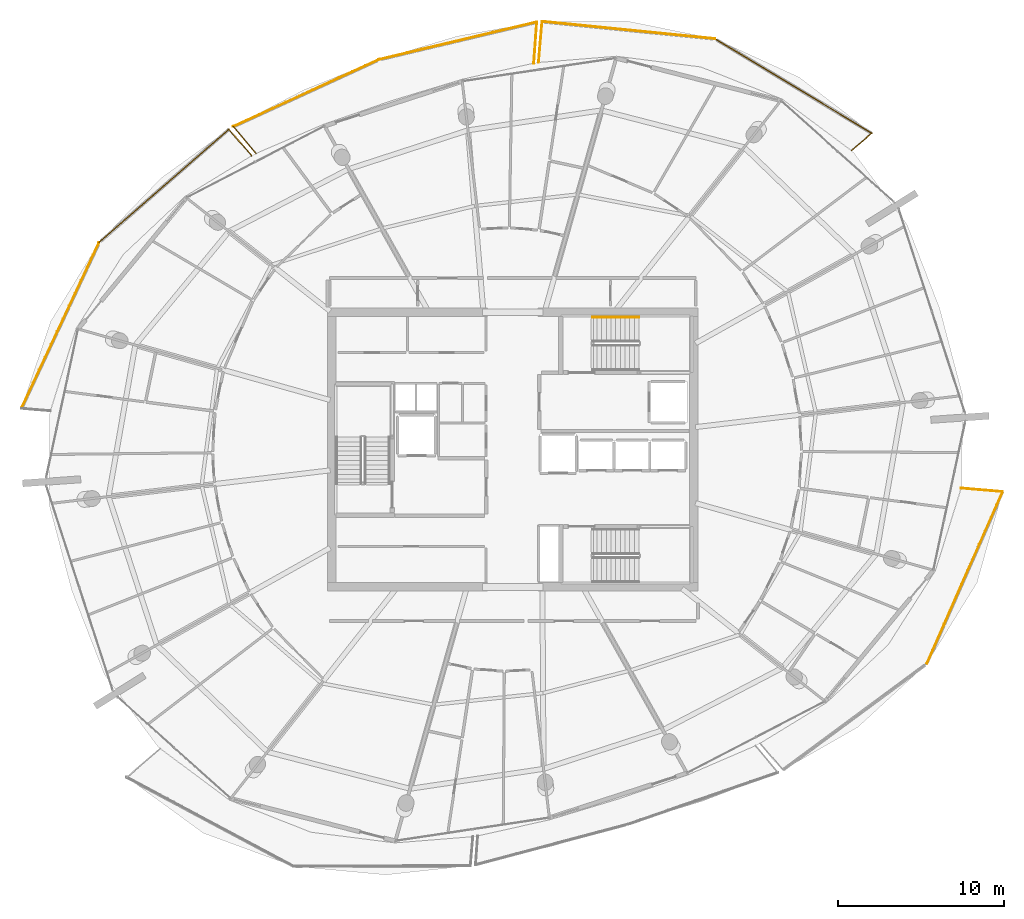
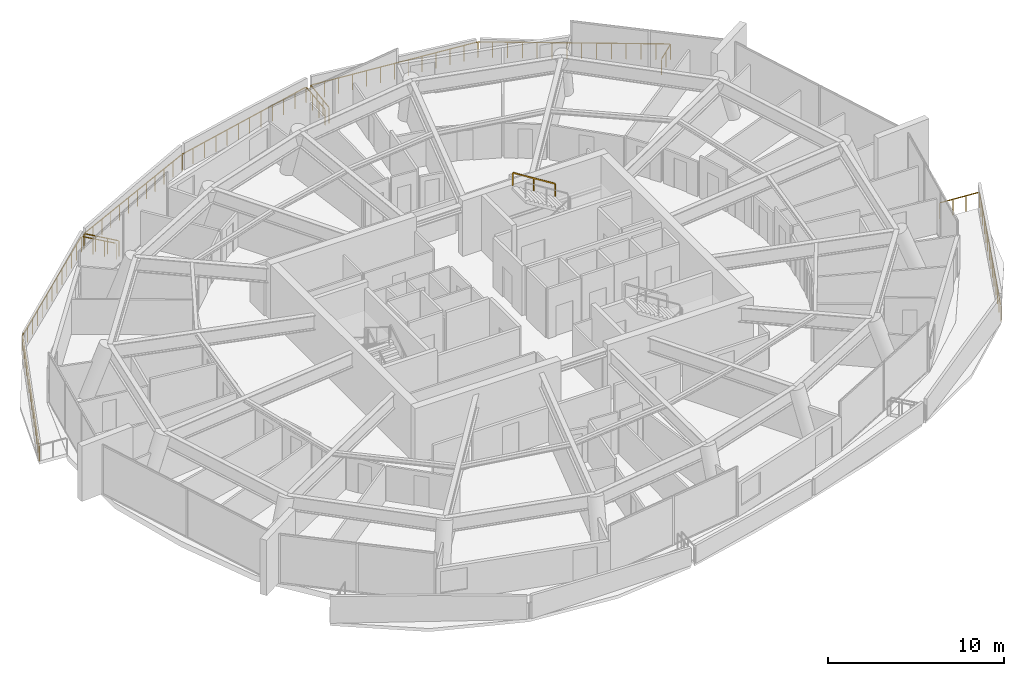
# One storey, part 24 of 24: 14 railings.
"""IFC4 building model written with IfcOpenShell, lengths in metres."""

from ifc_helpers import new_model, si_unit, direction, frame, origin, origin_2d, place, context, subcontext, project, spatial, rectangle, extrude, material, type_object, element, save


model = new_model("IFC4")

# Units and contexts
model_context = context("Model", 3, precision=1e-05, world=origin(), true_north=direction((0.0, 1.0)))
body_context = subcontext(model_context, "Body", "Model", "MODEL_VIEW")
ifc_project = project(units=[si_unit("LENGTHUNIT", "METRE"), si_unit("AREAUNIT", "SQUARE_METRE"), si_unit("VOLUMEUNIT", "CUBIC_METRE"), si_unit("PLANEANGLEUNIT", "RADIAN"), si_unit("MASSUNIT", "GRAM", prefix="KILO")], contexts=[model_context])

# Site, building, storey
site_placement = place(None, origin())
site = spatial("IfcSite", under=ifc_project, at=site_placement, CompositionType="ELEMENT")
building_placement = place(site_placement, origin())
building = spatial("IfcBuilding", under=site, at=building_placement, Name="Kazma Halo Residences", CompositionType="ELEMENT")
storey_placement = place(building_placement, frame((0.0, 0.0, 309.85009765625)))
storey = spatial("IfcBuildingStorey", under=building, at=storey_placement, Name="L78", CompositionType="ELEMENT", Elevation=309.85009765625)

# Railings
ifc_material_1 = material(Name="Aluminium AW-6063 T6 Brushed Cap Rail", Category="aluminium")
railing_type_1 = type_object("IfcRailingType", Name="RLG-BAL-CAP-1120", PredefinedType="BALUSTRADE", material=ifc_material_1)
railing_1_placement = place(storey_placement, frame((68.77197265625, 59.961669921875, 0.0)))
element("IfcRailing", 1, at=railing_1_placement, inside=storey, type_object=railing_type_1, Name="L78 NE wave balcony guard 1", PredefinedType="BALUSTRADE", context=body_context, shape_type="SweptSolid", body=[
    extrude(rectangle(XDim=0.050048828125, YDim=0.050048828125, at=origin_2d()), frame((0.0322265625, 0.02783203125, 1.09521484375), z_axis=(0.756479552532, 0.654017344266, 0.0), x_axis=(-0.654017344266, 0.756479552532, 0.0)), (0.0, 0.0, 1.0), 1.513671875),
    extrude(rectangle(XDim=0.0400390625, YDim=0.0400390625, at=origin_2d()), origin(), (0.0, 0.0, 1.0), 1.05810546875),
    extrude(rectangle(XDim=0.0400390625, YDim=0.0400390625, at=origin_2d()), frame((0.604736328125, 0.52294921875, 0.0)), (0.0, 0.0, 1.0), 1.05810546875),
    extrude(rectangle(XDim=0.0400390625, YDim=0.0400390625, at=origin_2d()), frame((1.20947265625, 1.045654296875, 0.0)), (0.0, 0.0, 1.0), 1.05810546875),
])
railing_2_placement = place(storey_placement, frame((69.9814453125, 61.00732421875, 0.0)))
element("IfcRailing", 2, at=railing_2_placement, inside=storey, type_object=railing_type_1, Name="L78 NE wave balcony guard 2", PredefinedType="BALUSTRADE", context=body_context, shape_type="SweptSolid", body=[
    extrude(rectangle(XDim=0.050048828125, YDim=0.050048828125, at=origin_2d()), frame((-0.036376953125, 0.02197265625, 1.09521484375), z_axis=(-0.856449797086, 0.516230321728, 0.0), x_axis=(-0.516230321728, -0.856449797086, 0.0)), (0.0, 0.0, 1.0), 10.899169921875),
    extrude(rectangle(XDim=0.0400390625, YDim=0.0400390625, at=origin_2d()), origin(), (0.0, 0.0, 1.0), 1.05810546875),
    extrude(rectangle(XDim=0.0400390625, YDim=0.0400390625, at=origin_2d()), frame((-0.7236328125, 0.436279296875, 0.0)), (0.0, 0.0, 1.0), 1.05810546875),
    extrude(rectangle(XDim=0.0400390625, YDim=0.0400390625, at=origin_2d()), frame((-1.447265625, 0.872314453125, 0.0)), (0.0, 0.0, 1.0), 1.05810546875),
    extrude(rectangle(XDim=0.0400390625, YDim=0.0400390625, at=origin_2d()), frame((-2.1708984375, 1.30859375, 0.0)), (0.0, 0.0, 1.0), 1.05810546875),
    extrude(rectangle(XDim=0.0400390625, YDim=0.0400390625, at=origin_2d()), frame((-2.89453125, 1.74462890625, 0.0)), (0.0, 0.0, 1.0), 1.05810546875),
    extrude(rectangle(XDim=0.0400390625, YDim=0.0400390625, at=origin_2d()), frame((-3.6181640625, 2.180908203125, 0.0)), (0.0, 0.0, 1.0), 1.05810546875),
    extrude(rectangle(XDim=0.0400390625, YDim=0.0400390625, at=origin_2d()), frame((-4.341796875, 2.6171875, 0.0)), (0.0, 0.0, 1.0), 1.05810546875),
    extrude(rectangle(XDim=0.0400390625, YDim=0.0400390625, at=origin_2d()), frame((-5.065673828125, 3.05322265625, 0.0)), (0.0, 0.0, 1.0), 1.05810546875),
    extrude(rectangle(XDim=0.0400390625, YDim=0.0400390625, at=origin_2d()), frame((-5.789306640625, 3.489501953125, 0.0)), (0.0, 0.0, 1.0), 1.05810546875),
    extrude(rectangle(XDim=0.0400390625, YDim=0.0400390625, at=origin_2d()), frame((-6.512939453125, 3.92578125, 0.0)), (0.0, 0.0, 1.0), 1.05810546875),
    extrude(rectangle(XDim=0.0400390625, YDim=0.0400390625, at=origin_2d()), frame((-7.236572265625, 4.36181640625, 0.0)), (0.0, 0.0, 1.0), 1.05810546875),
    extrude(rectangle(XDim=0.0400390625, YDim=0.0400390625, at=origin_2d()), frame((-7.960205078125, 4.798095703125, 0.0)), (0.0, 0.0, 1.0), 1.05810546875),
    extrude(rectangle(XDim=0.0400390625, YDim=0.0400390625, at=origin_2d()), frame((-8.683837890625, 5.234130859375, 0.0)), (0.0, 0.0, 1.0), 1.05810546875),
    extrude(rectangle(XDim=0.0400390625, YDim=0.0400390625, at=origin_2d()), frame((-9.407470703125, 5.67041015625, 0.0)), (0.0, 0.0, 1.0), 1.05810546875),
])
railing_3_placement = place(storey_placement, frame((60.573974609375, 66.677734375, 0.0)))
element("IfcRailing", 3, at=railing_3_placement, inside=storey, type_object=railing_type_1, Name="L78 NE wave balcony guard 3", PredefinedType="BALUSTRADE", context=body_context, shape_type="SweptSolid", body=[
    extrude(rectangle(XDim=0.050048828125, YDim=0.050048828125, at=origin_2d()), frame((-0.042236328125, 0.004150390625, 1.09521484375), z_axis=(-0.995045518951, 0.099420396375, 0.0), x_axis=(-0.099420396375, -0.995045518951, 0.0)), (0.0, 0.0, 1.0), 10.358642578125),
    extrude(rectangle(XDim=0.0400390625, YDim=0.0400390625, at=origin_2d()), origin(), (0.0, 0.0, 1.0), 1.05810546875),
    extrude(rectangle(XDim=0.0400390625, YDim=0.0400390625, at=origin_2d()), frame((-0.865966796875, 0.08642578125, 0.0)), (0.0, 0.0, 1.0), 1.05810546875),
    extrude(rectangle(XDim=0.0400390625, YDim=0.0400390625, at=origin_2d()), frame((-1.73193359375, 0.173095703125, 0.0)), (0.0, 0.0, 1.0), 1.05810546875),
    extrude(rectangle(XDim=0.0400390625, YDim=0.0400390625, at=origin_2d()), frame((-2.59814453125, 0.259521484375, 0.0)), (0.0, 0.0, 1.0), 1.05810546875),
    extrude(rectangle(XDim=0.0400390625, YDim=0.0400390625, at=origin_2d()), frame((-3.464111328125, 0.34619140625, 0.0)), (0.0, 0.0, 1.0), 1.05810546875),
    extrude(rectangle(XDim=0.0400390625, YDim=0.0400390625, at=origin_2d()), frame((-4.330078125, 0.4326171875, 0.0)), (0.0, 0.0, 1.0), 1.05810546875),
    extrude(rectangle(XDim=0.0400390625, YDim=0.0400390625, at=origin_2d()), frame((-5.196044921875, 0.51904296875, 0.0)), (0.0, 0.0, 1.0), 1.05810546875),
    extrude(rectangle(XDim=0.0400390625, YDim=0.0400390625, at=origin_2d()), frame((-6.06201171875, 0.605712890625, 0.0)), (0.0, 0.0, 1.0), 1.05810546875),
    extrude(rectangle(XDim=0.0400390625, YDim=0.0400390625, at=origin_2d()), frame((-6.927978515625, 0.692138671875, 0.0)), (0.0, 0.0, 1.0), 1.05810546875),
    extrude(rectangle(XDim=0.0400390625, YDim=0.0400390625, at=origin_2d()), frame((-7.7939453125, 0.77880859375, 0.0)), (0.0, 0.0, 1.0), 1.05810546875),
    extrude(rectangle(XDim=0.0400390625, YDim=0.0400390625, at=origin_2d()), frame((-8.66015625, 0.865234375, 0.0)), (0.0, 0.0, 1.0), 1.05810546875),
    extrude(rectangle(XDim=0.0400390625, YDim=0.0400390625, at=origin_2d()), frame((-9.526123046875, 0.951904296875, 0.0)), (0.0, 0.0, 1.0), 1.05810546875),
    extrude(rectangle(XDim=0.0400390625, YDim=0.0400390625, at=origin_2d()), frame((-10.39208984375, 1.038330078125, 0.0)), (0.0, 0.0, 1.0), 1.05810546875),
])
railing_4_placement = place(storey_placement, frame((50.181884765625, 67.716064453125, 0.0)))
element("IfcRailing", 4, at=railing_4_placement, inside=storey, type_object=railing_type_1, Name="L78 NE wave balcony guard 4", PredefinedType="BALUSTRADE", context=body_context, shape_type="SweptSolid", body=[
    extrude(rectangle(XDim=0.050048828125, YDim=0.050048828125, at=origin_2d()), frame((-0.003662109375, -0.04248046875, 1.09521484375), z_axis=(-0.084517933957, -0.996421958228, 0.0), x_axis=(0.996421958228, -0.084517933957, 0.0)), (0.0, 0.0, 1.0), 2.384765625),
    extrude(rectangle(XDim=0.0400390625, YDim=0.0400390625, at=origin_2d()), origin(), (0.0, 0.0, 1.0), 1.05810546875),
    extrude(rectangle(XDim=0.0400390625, YDim=0.0400390625, at=origin_2d()), frame((-0.069580078125, -0.8203125, 0.0)), (0.0, 0.0, 1.0), 1.05810546875),
    extrude(rectangle(XDim=0.0400390625, YDim=0.0400390625, at=origin_2d()), frame((-0.13916015625, -1.640625, 0.0)), (0.0, 0.0, 1.0), 1.05810546875),
    extrude(rectangle(XDim=0.0400390625, YDim=0.0400390625, at=origin_2d()), frame((-0.208740234375, -2.4609375, 0.0)), (0.0, 0.0, 1.0), 1.05810546875),
])
railing_5_placement = place(storey_placement, frame((49.68408203125, 65.2119140625, 0.0)))
element("IfcRailing", 5, at=railing_5_placement, inside=storey, type_object=railing_type_1, Name="L78 NNW wave balcony guard 1", PredefinedType="BALUSTRADE", context=body_context, shape_type="SweptSolid", body=[
    extrude(rectangle(XDim=0.050048828125, YDim=0.050048828125, at=origin_2d()), frame((0.003173828125, 0.04248046875, 1.09521484375), z_axis=(0.072387851321, 0.997376558267, 0.0), x_axis=(-0.997376558267, 0.072387851321, 0.0)), (0.0, 0.0, 1.0), 2.393798828125),
    extrude(rectangle(XDim=0.0400390625, YDim=0.0400390625, at=origin_2d()), origin(), (0.0, 0.0, 1.0), 1.05810546875),
    extrude(rectangle(XDim=0.0400390625, YDim=0.0400390625, at=origin_2d()), frame((0.059814453125, 0.82421875, 0.0)), (0.0, 0.0, 1.0), 1.05810546875),
    extrude(rectangle(XDim=0.0400390625, YDim=0.0400390625, at=origin_2d()), frame((0.11962890625, 1.648193359375, 0.0)), (0.0, 0.0, 1.0), 1.05810546875),
    extrude(rectangle(XDim=0.0400390625, YDim=0.0400390625, at=origin_2d()), frame((0.179443359375, 2.472412109375, 0.0)), (0.0, 0.0, 1.0), 1.05810546875),
])
railing_6_placement = place(storey_placement, frame((49.863525390625, 67.684326171875, 0.0)))
element("IfcRailing", 6, at=railing_6_placement, inside=storey, type_object=railing_type_1, Name="L78 NNW wave balcony guard 2", PredefinedType="BALUSTRADE", context=body_context, shape_type="SweptSolid", body=[
    extrude(rectangle(XDim=0.050048828125, YDim=0.050048828125, at=origin_2d()), frame((-0.04150390625, -0.009765625, 1.09521484375), z_axis=(-0.972831219155, -0.231515483365, 0.0), x_axis=(0.231515483365, -0.972831219155, 0.0)), (0.0, 0.0, 1.0), 9.655517578125),
    extrude(rectangle(XDim=0.0400390625, YDim=0.0400390625, at=origin_2d()), origin(), (0.0, 0.0, 1.0), 1.05810546875),
    extrude(rectangle(XDim=0.0400390625, YDim=0.0400390625, at=origin_2d()), frame((-0.861572265625, -0.205078125, 0.0)), (0.0, 0.0, 1.0), 1.05810546875),
    extrude(rectangle(XDim=0.0400390625, YDim=0.0400390625, at=origin_2d()), frame((-1.722900390625, -0.409912109375, 0.0)), (0.0, 0.0, 1.0), 1.05810546875),
    extrude(rectangle(XDim=0.0400390625, YDim=0.0400390625, at=origin_2d()), frame((-2.58447265625, -0.614990234375, 0.0)), (0.0, 0.0, 1.0), 1.05810546875),
    extrude(rectangle(XDim=0.0400390625, YDim=0.0400390625, at=origin_2d()), frame((-3.44580078125, -0.820068359375, 0.0)), (0.0, 0.0, 1.0), 1.05810546875),
    extrude(rectangle(XDim=0.0400390625, YDim=0.0400390625, at=origin_2d()), frame((-4.307373046875, -1.025146484375, 0.0)), (0.0, 0.0, 1.0), 1.05810546875),
    extrude(rectangle(XDim=0.0400390625, YDim=0.0400390625, at=origin_2d()), frame((-5.168701171875, -1.22998046875, 0.0)), (0.0, 0.0, 1.0), 1.05810546875),
    extrude(rectangle(XDim=0.0400390625, YDim=0.0400390625, at=origin_2d()), frame((-6.0302734375, -1.43505859375, 0.0)), (0.0, 0.0, 1.0), 1.05810546875),
    extrude(rectangle(XDim=0.0400390625, YDim=0.0400390625, at=origin_2d()), frame((-6.8916015625, -1.64013671875, 0.0)), (0.0, 0.0, 1.0), 1.05810546875),
    extrude(rectangle(XDim=0.0400390625, YDim=0.0400390625, at=origin_2d()), frame((-7.753173828125, -1.84521484375, 0.0)), (0.0, 0.0, 1.0), 1.05810546875),
    extrude(rectangle(XDim=0.0400390625, YDim=0.0400390625, at=origin_2d()), frame((-8.614501953125, -2.050048828125, 0.0)), (0.0, 0.0, 1.0), 1.05810546875),
    extrude(rectangle(XDim=0.0400390625, YDim=0.0400390625, at=origin_2d()), frame((-9.47607421875, -2.255126953125, 0.0)), (0.0, 0.0, 1.0), 1.05810546875),
])
railing_7_placement = place(storey_placement, frame((40.387451171875, 65.42919921875, 0.0)))
element("IfcRailing", 7, at=railing_7_placement, inside=storey, type_object=railing_type_1, Name="L78 NNW wave balcony guard 3", PredefinedType="BALUSTRADE", context=body_context, shape_type="SweptSolid", body=[
    extrude(rectangle(XDim=0.050048828125, YDim=0.050048828125, at=origin_2d()), frame((-0.03857421875, -0.017822265625, 1.09521484375), z_axis=(-0.908637358603, -0.417586099566, 0.0), x_axis=(0.417586099566, -0.908637358603, 0.0)), (0.0, 0.0, 1.0), 9.55224609375),
    extrude(rectangle(XDim=0.0400390625, YDim=0.0400390625, at=origin_2d()), origin(), (0.0, 0.0, 1.0), 1.05810546875),
    extrude(rectangle(XDim=0.0400390625, YDim=0.0400390625, at=origin_2d()), frame((-0.796142578125, -0.365966796875, 0.0)), (0.0, 0.0, 1.0), 1.05810546875),
    extrude(rectangle(XDim=0.0400390625, YDim=0.0400390625, at=origin_2d()), frame((-1.592041015625, -0.731689453125, 0.0)), (0.0, 0.0, 1.0), 1.05810546875),
    extrude(rectangle(XDim=0.0400390625, YDim=0.0400390625, at=origin_2d()), frame((-2.38818359375, -1.09765625, 0.0)), (0.0, 0.0, 1.0), 1.05810546875),
    extrude(rectangle(XDim=0.0400390625, YDim=0.0400390625, at=origin_2d()), frame((-3.184326171875, -1.46337890625, 0.0)), (0.0, 0.0, 1.0), 1.05810546875),
    extrude(rectangle(XDim=0.0400390625, YDim=0.0400390625, at=origin_2d()), frame((-3.98046875, -1.829345703125, 0.0)), (0.0, 0.0, 1.0), 1.05810546875),
    extrude(rectangle(XDim=0.0400390625, YDim=0.0400390625, at=origin_2d()), frame((-4.7763671875, -2.195068359375, 0.0)), (0.0, 0.0, 1.0), 1.05810546875),
    extrude(rectangle(XDim=0.0400390625, YDim=0.0400390625, at=origin_2d()), frame((-5.572509765625, -2.56103515625, 0.0)), (0.0, 0.0, 1.0), 1.05810546875),
    extrude(rectangle(XDim=0.0400390625, YDim=0.0400390625, at=origin_2d()), frame((-6.36865234375, -2.9267578125, 0.0)), (0.0, 0.0, 1.0), 1.05810546875),
    extrude(rectangle(XDim=0.0400390625, YDim=0.0400390625, at=origin_2d()), frame((-7.164794921875, -3.292724609375, 0.0)), (0.0, 0.0, 1.0), 1.05810546875),
    extrude(rectangle(XDim=0.0400390625, YDim=0.0400390625, at=origin_2d()), frame((-7.960693359375, -3.658447265625, 0.0)), (0.0, 0.0, 1.0), 1.05810546875),
    extrude(rectangle(XDim=0.0400390625, YDim=0.0400390625, at=origin_2d()), frame((-8.7568359375, -4.0244140625, 0.0)), (0.0, 0.0, 1.0), 1.05810546875),
])
railing_8_placement = place(storey_placement, frame((31.630615234375, 61.40478515625, 0.0)))
element("IfcRailing", 8, at=railing_8_placement, inside=storey, type_object=railing_type_1, Name="L78 NNW wave balcony guard 4", PredefinedType="BALUSTRADE", context=body_context, shape_type="SweptSolid", body=[
    extrude(rectangle(XDim=0.050048828125, YDim=0.050048828125, at=origin_2d()), frame((0.02734375, -0.032470703125, 1.09521484375), z_axis=(0.644818238968, -0.764335946227, 0.0), x_axis=(0.764335946227, 0.644818238968, 0.0)), (0.0, 0.0, 1.0), 2.029052734375),
    extrude(rectangle(XDim=0.0400390625, YDim=0.0400390625, at=origin_2d()), origin(), (0.0, 0.0, 1.0), 1.05810546875),
    extrude(rectangle(XDim=0.0400390625, YDim=0.0400390625, at=origin_2d()), frame((0.454345703125, -0.53857421875, 0.0)), (0.0, 0.0, 1.0), 1.05810546875),
    extrude(rectangle(XDim=0.0400390625, YDim=0.0400390625, at=origin_2d()), frame((0.908935546875, -1.077392578125, 0.0)), (0.0, 0.0, 1.0), 1.05810546875),
    extrude(rectangle(XDim=0.0400390625, YDim=0.0400390625, at=origin_2d()), frame((1.36328125, -1.615966796875, 0.0)), (0.0, 0.0, 1.0), 1.05810546875),
])
railing_9_placement = place(storey_placement, frame((32.734619140625, 59.654052734375, 0.0)))
element("IfcRailing", 9, at=railing_9_placement, inside=storey, type_object=railing_type_1, Name="L78 NW wave balcony guard 1", PredefinedType="BALUSTRADE", context=body_context, shape_type="SweptSolid", body=[
    extrude(rectangle(XDim=0.050048828125, YDim=0.050048828125, at=origin_2d()), frame((-0.02783203125, 0.0322265625, 1.09521484375), z_axis=(-0.654146538643, 0.756367837749, 0.0), x_axis=(-0.756367837749, -0.654146538643, 0.0)), (0.0, 0.0, 1.0), 2.01416015625),
    extrude(rectangle(XDim=0.0400390625, YDim=0.0400390625, at=origin_2d()), origin(), (0.0, 0.0, 1.0), 1.05810546875),
    extrude(rectangle(XDim=0.0400390625, YDim=0.0400390625, at=origin_2d()), frame((-0.457763671875, 0.529296875, 0.0)), (0.0, 0.0, 1.0), 1.05810546875),
    extrude(rectangle(XDim=0.0400390625, YDim=0.0400390625, at=origin_2d()), frame((-0.91552734375, 1.05859375, 0.0)), (0.0, 0.0, 1.0), 1.05810546875),
    extrude(rectangle(XDim=0.0400390625, YDim=0.0400390625, at=origin_2d()), frame((-1.373291015625, 1.587890625, 0.0)), (0.0, 0.0, 1.0), 1.05810546875),
])
railing_10_placement = place(storey_placement, frame((31.361328125, 61.241943359375, 0.0)))
element("IfcRailing", 10, at=railing_10_placement, inside=storey, type_object=railing_type_1, Name="L78 NW wave balcony guard 2", PredefinedType="BALUSTRADE", context=body_context, shape_type="SweptSolid", body=[
    extrude(rectangle(XDim=0.050048828125, YDim=0.050048828125, at=origin_2d()), frame((-0.031982421875, -0.028076171875, 1.09521484375), z_axis=(-0.753493371842, -0.657455503126, 0.0), x_axis=(0.657455503126, -0.753493371842, 0.0)), (0.0, 0.0, 1.0), 10.251220703125),
    extrude(rectangle(XDim=0.0400390625, YDim=0.0400390625, at=origin_2d()), origin(), (0.0, 0.0, 1.0), 1.05810546875),
    extrude(rectangle(XDim=0.0400390625, YDim=0.0400390625, at=origin_2d()), frame((-0.64892578125, -0.56640625, 0.0)), (0.0, 0.0, 1.0), 1.05810546875),
    extrude(rectangle(XDim=0.0400390625, YDim=0.0400390625, at=origin_2d()), frame((-1.298095703125, -1.132568359375, 0.0)), (0.0, 0.0, 1.0), 1.05810546875),
    extrude(rectangle(XDim=0.0400390625, YDim=0.0400390625, at=origin_2d()), frame((-1.947021484375, -1.698974609375, 0.0)), (0.0, 0.0, 1.0), 1.05810546875),
    extrude(rectangle(XDim=0.0400390625, YDim=0.0400390625, at=origin_2d()), frame((-2.59619140625, -2.26513671875, 0.0)), (0.0, 0.0, 1.0), 1.05810546875),
    extrude(rectangle(XDim=0.0400390625, YDim=0.0400390625, at=origin_2d()), frame((-3.2451171875, -2.83154296875, 0.0)), (0.0, 0.0, 1.0), 1.05810546875),
    extrude(rectangle(XDim=0.0400390625, YDim=0.0400390625, at=origin_2d()), frame((-3.89404296875, -3.39794921875, 0.0)), (0.0, 0.0, 1.0), 1.05810546875),
    extrude(rectangle(XDim=0.0400390625, YDim=0.0400390625, at=origin_2d()), frame((-4.543212890625, -3.964111328125, 0.0)), (0.0, 0.0, 1.0), 1.05810546875),
    extrude(rectangle(XDim=0.0400390625, YDim=0.0400390625, at=origin_2d()), frame((-5.192138671875, -4.530517578125, 0.0)), (0.0, 0.0, 1.0), 1.05810546875),
    extrude(rectangle(XDim=0.0400390625, YDim=0.0400390625, at=origin_2d()), frame((-5.84130859375, -5.0966796875, 0.0)), (0.0, 0.0, 1.0), 1.05810546875),
    extrude(rectangle(XDim=0.0400390625, YDim=0.0400390625, at=origin_2d()), frame((-6.490234375, -5.6630859375, 0.0)), (0.0, 0.0, 1.0), 1.05810546875),
    extrude(rectangle(XDim=0.0400390625, YDim=0.0400390625, at=origin_2d()), frame((-7.139404296875, -6.229248046875, 0.0)), (0.0, 0.0, 1.0), 1.05810546875),
    extrude(rectangle(XDim=0.0400390625, YDim=0.0400390625, at=origin_2d()), frame((-7.788330078125, -6.795654296875, 0.0)), (0.0, 0.0, 1.0), 1.05810546875),
])
railing_11_placement = place(storey_placement, frame((23.572998046875, 54.4462890625, 0.0)))
element("IfcRailing", 11, at=railing_11_placement, inside=storey, type_object=railing_type_1, Name="L78 NW wave balcony guard 3", PredefinedType="BALUSTRADE", context=body_context, shape_type="SweptSolid", body=[
    extrude(rectangle(XDim=0.050048828125, YDim=0.050048828125, at=origin_2d()), frame((-0.01806640625, -0.03857421875, 1.09521484375), z_axis=(-0.424198818923, -0.905569081862, 0.0), x_axis=(0.905569081862, -0.424198818923, 0.0)), (0.0, 0.0, 1.0), 10.932373046875),
    extrude(rectangle(XDim=0.0400390625, YDim=0.0400390625, at=origin_2d()), origin(), (0.0, 0.0, 1.0), 1.05810546875),
    extrude(rectangle(XDim=0.0400390625, YDim=0.0400390625, at=origin_2d()), frame((-0.359619140625, -0.767578125, 0.0)), (0.0, 0.0, 1.0), 1.05810546875),
    extrude(rectangle(XDim=0.0400390625, YDim=0.0400390625, at=origin_2d()), frame((-0.718994140625, -1.534912109375, 0.0)), (0.0, 0.0, 1.0), 1.05810546875),
    extrude(rectangle(XDim=0.0400390625, YDim=0.0400390625, at=origin_2d()), frame((-1.07861328125, -2.302490234375, 0.0)), (0.0, 0.0, 1.0), 1.05810546875),
    extrude(rectangle(XDim=0.0400390625, YDim=0.0400390625, at=origin_2d()), frame((-1.43798828125, -3.06982421875, 0.0)), (0.0, 0.0, 1.0), 1.05810546875),
    extrude(rectangle(XDim=0.0400390625, YDim=0.0400390625, at=origin_2d()), frame((-1.797607421875, -3.83740234375, 0.0)), (0.0, 0.0, 1.0), 1.05810546875),
    extrude(rectangle(XDim=0.0400390625, YDim=0.0400390625, at=origin_2d()), frame((-2.156982421875, -4.604736328125, 0.0)), (0.0, 0.0, 1.0), 1.05810546875),
    extrude(rectangle(XDim=0.0400390625, YDim=0.0400390625, at=origin_2d()), frame((-2.5166015625, -5.372314453125, 0.0)), (0.0, 0.0, 1.0), 1.05810546875),
    extrude(rectangle(XDim=0.0400390625, YDim=0.0400390625, at=origin_2d()), frame((-2.8759765625, -6.1396484375, 0.0)), (0.0, 0.0, 1.0), 1.05810546875),
    extrude(rectangle(XDim=0.0400390625, YDim=0.0400390625, at=origin_2d()), frame((-3.235595703125, -6.9072265625, 0.0)), (0.0, 0.0, 1.0), 1.05810546875),
    extrude(rectangle(XDim=0.0400390625, YDim=0.0400390625, at=origin_2d()), frame((-3.594970703125, -7.674560546875, 0.0)), (0.0, 0.0, 1.0), 1.05810546875),
    extrude(rectangle(XDim=0.0400390625, YDim=0.0400390625, at=origin_2d()), frame((-3.95458984375, -8.442138671875, 0.0)), (0.0, 0.0, 1.0), 1.05810546875),
    extrude(rectangle(XDim=0.0400390625, YDim=0.0400390625, at=origin_2d()), frame((-4.31396484375, -9.20947265625, 0.0)), (0.0, 0.0, 1.0), 1.05810546875),
    extrude(rectangle(XDim=0.0400390625, YDim=0.0400390625, at=origin_2d()), frame((-4.673583984375, -9.97705078125, 0.0)), (0.0, 0.0, 1.0), 1.05810546875),
])
railing_12_placement = place(storey_placement, frame((73.283203125, 29.11767578125, 0.0)))
element("IfcRailing", 12, at=railing_12_placement, inside=storey, type_object=railing_type_1, Name="L78 SE wave balcony guard 3", PredefinedType="BALUSTRADE", context=body_context, shape_type="SweptSolid", body=[
    extrude(rectangle(XDim=0.050048828125, YDim=0.050048828125, at=origin_2d()), frame((0.01708984375, 0.038818359375, 1.09521484375), z_axis=(0.403445177, 0.915003819203, 0.0), x_axis=(-0.915003819203, 0.403445177, 0.0)), (0.0, 0.0, 1.0), 11.22607421875),
    extrude(rectangle(XDim=0.0400390625, YDim=0.0400390625, at=origin_2d()), origin(), (0.0, 0.0, 1.0), 1.05810546875),
    extrude(rectangle(XDim=0.0400390625, YDim=0.0400390625, at=origin_2d()), frame((0.35107421875, 0.796142578125, 0.0)), (0.0, 0.0, 1.0), 1.05810546875),
    extrude(rectangle(XDim=0.0400390625, YDim=0.0400390625, at=origin_2d()), frame((0.7021484375, 1.59228515625, 0.0)), (0.0, 0.0, 1.0), 1.05810546875),
    extrude(rectangle(XDim=0.0400390625, YDim=0.0400390625, at=origin_2d()), frame((1.05322265625, 2.388427734375, 0.0)), (0.0, 0.0, 1.0), 1.05810546875),
    extrude(rectangle(XDim=0.0400390625, YDim=0.0400390625, at=origin_2d()), frame((1.404052734375, 3.1845703125, 0.0)), (0.0, 0.0, 1.0), 1.05810546875),
    extrude(rectangle(XDim=0.0400390625, YDim=0.0400390625, at=origin_2d()), frame((1.755126953125, 3.980712890625, 0.0)), (0.0, 0.0, 1.0), 1.05810546875),
    extrude(rectangle(XDim=0.0400390625, YDim=0.0400390625, at=origin_2d()), frame((2.106201171875, 4.77685546875, 0.0)), (0.0, 0.0, 1.0), 1.05810546875),
    extrude(rectangle(XDim=0.0400390625, YDim=0.0400390625, at=origin_2d()), frame((2.457275390625, 5.572998046875, 0.0)), (0.0, 0.0, 1.0), 1.05810546875),
    extrude(rectangle(XDim=0.0400390625, YDim=0.0400390625, at=origin_2d()), frame((2.808349609375, 6.369140625, 0.0)), (0.0, 0.0, 1.0), 1.05810546875),
    extrude(rectangle(XDim=0.0400390625, YDim=0.0400390625, at=origin_2d()), frame((3.159423828125, 7.165283203125, 0.0)), (0.0, 0.0, 1.0), 1.05810546875),
    extrude(rectangle(XDim=0.0400390625, YDim=0.0400390625, at=origin_2d()), frame((3.51025390625, 7.96142578125, 0.0)), (0.0, 0.0, 1.0), 1.05810546875),
    extrude(rectangle(XDim=0.0400390625, YDim=0.0400390625, at=origin_2d()), frame((3.861328125, 8.757568359375, 0.0)), (0.0, 0.0, 1.0), 1.05810546875),
    extrude(rectangle(XDim=0.0400390625, YDim=0.0400390625, at=origin_2d()), frame((4.21240234375, 9.5537109375, 0.0)), (0.0, 0.0, 1.0), 1.05810546875),
    extrude(rectangle(XDim=0.0400390625, YDim=0.0400390625, at=origin_2d()), frame((4.5634765625, 10.349853515625, 0.0)), (0.0, 0.0, 1.0), 1.05810546875),
])
railing_13_placement = place(storey_placement, frame((77.8466796875, 39.467529296875, 0.0)))
element("IfcRailing", 13, at=railing_13_placement, inside=storey, type_object=railing_type_1, Name="L78 SE wave balcony guard 4", PredefinedType="BALUSTRADE", context=body_context, shape_type="SweptSolid", body=[
    extrude(rectangle(XDim=0.050048828125, YDim=0.050048828125, at=origin_2d()), frame((-0.04248046875, 0.003662109375, 1.09521484375), z_axis=(-0.996422436839, 0.084512291203, 0.0), x_axis=(-0.084512291203, -0.996422436839, 0.0)), (0.0, 0.0, 1.0), 2.407958984375),
    extrude(rectangle(XDim=0.0400390625, YDim=0.0400390625, at=origin_2d()), origin(), (0.0, 0.0, 1.0), 1.05810546875),
    extrude(rectangle(XDim=0.0400390625, YDim=0.0400390625, at=origin_2d()), frame((-0.828125, 0.0703125, 0.0)), (0.0, 0.0, 1.0), 1.05810546875),
    extrude(rectangle(XDim=0.0400390625, YDim=0.0400390625, at=origin_2d()), frame((-1.656005859375, 0.140380859375, 0.0)), (0.0, 0.0, 1.0), 1.05810546875),
    extrude(rectangle(XDim=0.0400390625, YDim=0.0400390625, at=origin_2d()), frame((-2.484130859375, 0.210693359375, 0.0)), (0.0, 0.0, 1.0), 1.05810546875),
])
ifc_material_2 = material(Name="Brushed Stainless Steel", Category="steel")
railing_type_2 = type_object("IfcRailingType", Name="RLG-STAIR-HND-900", PredefinedType="HANDRAIL", material=ifc_material_2)
railing_14_placement = place(storey_placement, frame((56.0, 49.949951171875, 2.099853515625)))
element("IfcRailing", 14, at=railing_14_placement, inside=storey, type_object=railing_type_2, Name="L78 ST-02 stair handrail 2", PredefinedType="HANDRAIL", context=body_context, shape_type="SweptSolid", body=[
    extrude(rectangle(XDim=0.050048828125, YDim=0.050048828125, at=origin_2d()), frame((-0.0361328125, 0.0, 0.8974609375), z_axis=(-0.848002457836, 0.0, 0.529992293815), x_axis=(0.0, -1.0, 0.0)), (0.0, 0.0, 1.0), 3.216796875),
    extrude(rectangle(XDim=0.0400390625, YDim=0.0400390625, at=origin_2d()), origin(), (0.0, 0.0, 1.0), 0.837890625),
    extrude(rectangle(XDim=0.0400390625, YDim=0.0400390625, at=origin_2d()), frame((-1.39990234375, 0.0, 0.875)), (0.0, 0.0, 1.0), 0.837890625),
    extrude(rectangle(XDim=0.0400390625, YDim=0.0400390625, at=origin_2d()), frame((-2.800048828125, 0.0, 1.75)), (0.0, 0.0, 1.0), 0.837890625),
])

save(model, "model.ifc")
